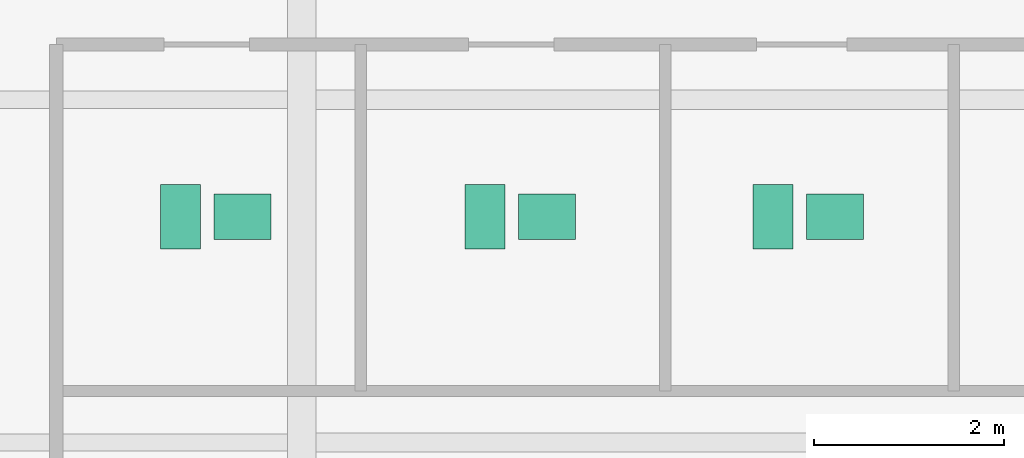
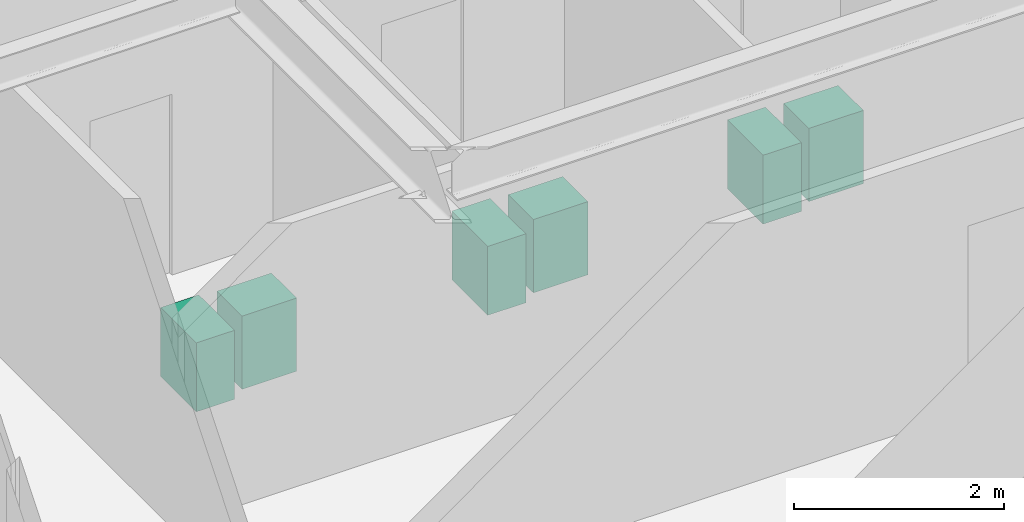
# One storey, part 27 of 27: 6 sanitary terminals.
"""IFC4 building model written with IfcOpenShell, lengths in metres."""

from ifc_helpers import new_model, si_unit, direction, frame, origin, origin_2d, place, context, subcontext, project, spatial, rectangle, extrude, source, transform, mapped, material, type_object, type_shapes, element, save


model = new_model("IFC4")

# Units and contexts
model_context = context("Model", 3, precision=1e-05, world=origin(), true_north=direction((0.0, 1.0)))
body_context = subcontext(model_context, "Body", "Model", "MODEL_VIEW")
ifc_project = project(units=[si_unit("LENGTHUNIT", "METRE"), si_unit("AREAUNIT", "SQUARE_METRE"), si_unit("VOLUMEUNIT", "CUBIC_METRE"), si_unit("PLANEANGLEUNIT", "RADIAN"), si_unit("MASSUNIT", "GRAM", prefix="KILO")], contexts=[model_context])

# Site, building, storey
site_placement = place(None, origin())
site = spatial("IfcSite", under=ifc_project, at=site_placement, CompositionType="ELEMENT")
building_placement = place(site_placement, origin())
building = spatial("IfcBuilding", under=site, at=building_placement, Name="Krantzveldt Concourse Tower", CompositionType="ELEMENT")
storey_placement = place(building_placement, frame((0.0, 0.0, 105.85009765625)))
storey = spatial("IfcBuildingStorey", under=building, at=storey_placement, Name="L25", CompositionType="ELEMENT", Elevation=105.85009765625)

# Sanitary terminals
ifc_material = material(Name="Vitreous china", Category="ceramic")
sanitary_terminal_type_1 = type_object("IfcSanitaryTerminalType", Name="SAN-WC-SUITE", PredefinedType="TOILETPAN", material=ifc_material)
shared_shape_1 = source(origin(), body_context, "Body", "SweptSolid", [
    extrude(rectangle(XDim=0.419921875, YDim=0.679931640625, at=origin_2d()), origin(), (0.0, 0.0, 1.0), 0.800048828125),
])
type_shapes(sanitary_terminal_type_1, [shared_shape_1])
for number, where, z_axis, x_axis, name in (
    (1, (29.324951171875, 32.570068359375, 0.0), (0.0, 0.0, 1.0), (1.0, 0.0, 0.0), "WC-SP-L25-WCM"),
    (2, (32.52490234375, 32.570068359375, 0.0), (0.0, 0.0, 1.0), (1.0, 0.0, 0.0), "WC-SP-L25-WCF"),
    (3, (35.550048828125, 32.570068359375, 0.0), (0.0, 0.0, 1.0), (1.0, 0.0, 0.0), "WC-SP-L25-WCA"),
):
    element("IfcSanitaryTerminal", number, at=place(storey_placement, frame(where, z_axis=z_axis, x_axis=x_axis)), inside=storey, type_object=sanitary_terminal_type_1, Name=name, PredefinedType="TOILETPAN", context=body_context, shape_type="MappedRepresentation", body=[
        mapped(shared_shape_1, transform((0.0, 0.0, 0.0), x_axis=(1.0, 0.0, 0.0), y_axis=(0.0, 1.0, 0.0), z_axis=(0.0, 0.0, 1.0), scale=1.0)),
    ])
sanitary_terminal_type_2 = type_object("IfcSanitaryTerminalType", Name="SAN-BASIN-600", PredefinedType="WASHHANDBASIN", material=ifc_material)
shared_shape_2 = source(origin(), body_context, "Body", "SweptSolid", [
    extrude(rectangle(XDim=0.60009765625, YDim=0.47998046875, at=origin_2d()), origin(), (0.0, 0.0, 1.0), 0.85009765625),
])
type_shapes(sanitary_terminal_type_2, [shared_shape_2])
for number, where, z_axis, x_axis, name in (
    (4, (29.97509765625, 32.570068359375, 0.0048828125), (0.0, 0.0, 1.0), (1.0, 0.0, 0.0), "BSN-SP-L25-WCM"),
    (5, (33.175048828125, 32.570068359375, 0.0048828125), (0.0, 0.0, 1.0), (1.0, 0.0, 0.0), "BSN-SP-L25-WCF"),
    (6, (36.199951171875, 32.570068359375, 0.0048828125), (0.0, 0.0, 1.0), (1.0, 0.0, 0.0), "BSN-SP-L25-WCA"),
):
    element("IfcSanitaryTerminal", number, at=place(storey_placement, frame(where, z_axis=z_axis, x_axis=x_axis)), inside=storey, type_object=sanitary_terminal_type_2, Name=name, PredefinedType="WASHHANDBASIN", context=body_context, shape_type="MappedRepresentation", body=[
        mapped(shared_shape_2, transform((0.0, 0.0, 0.0), x_axis=(1.0, 0.0, 0.0), y_axis=(0.0, 1.0, 0.0), z_axis=(0.0, 0.0, 1.0), scale=1.0)),
    ])

save(model, "model.ifc")
